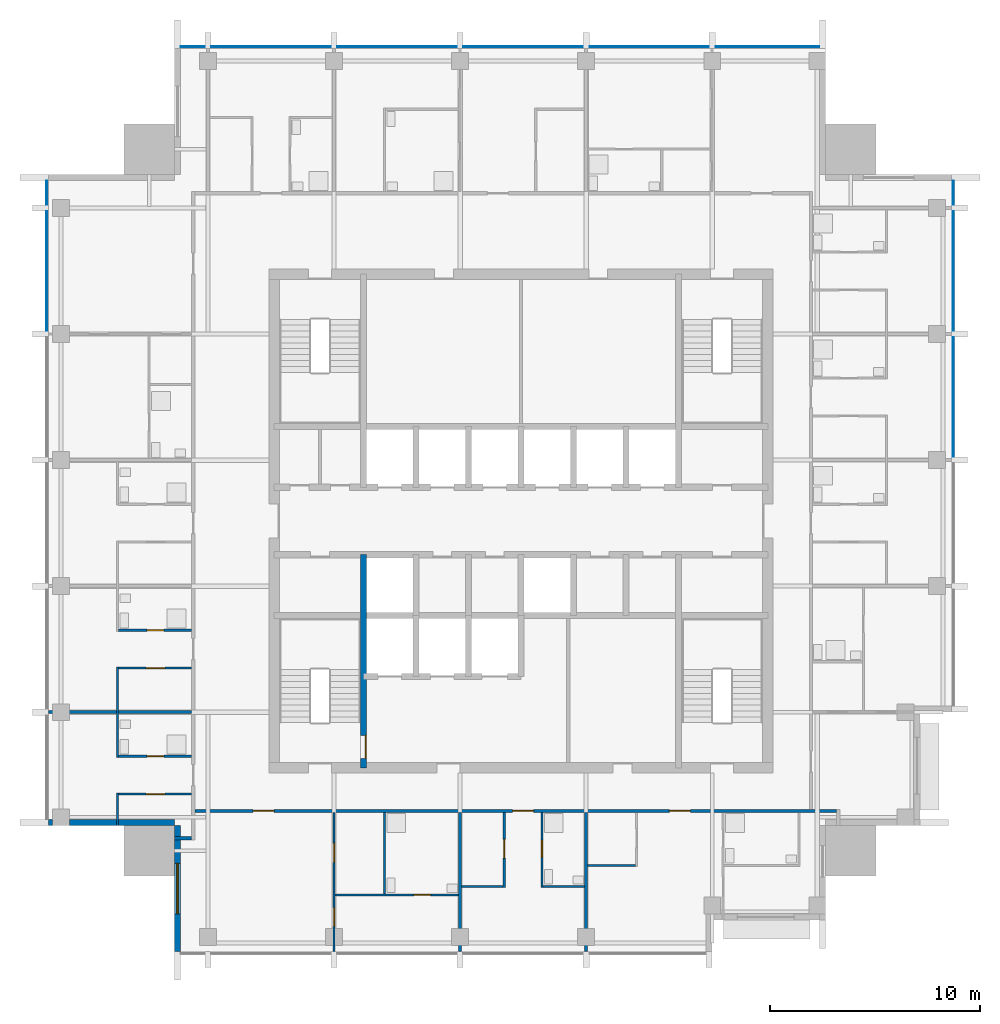
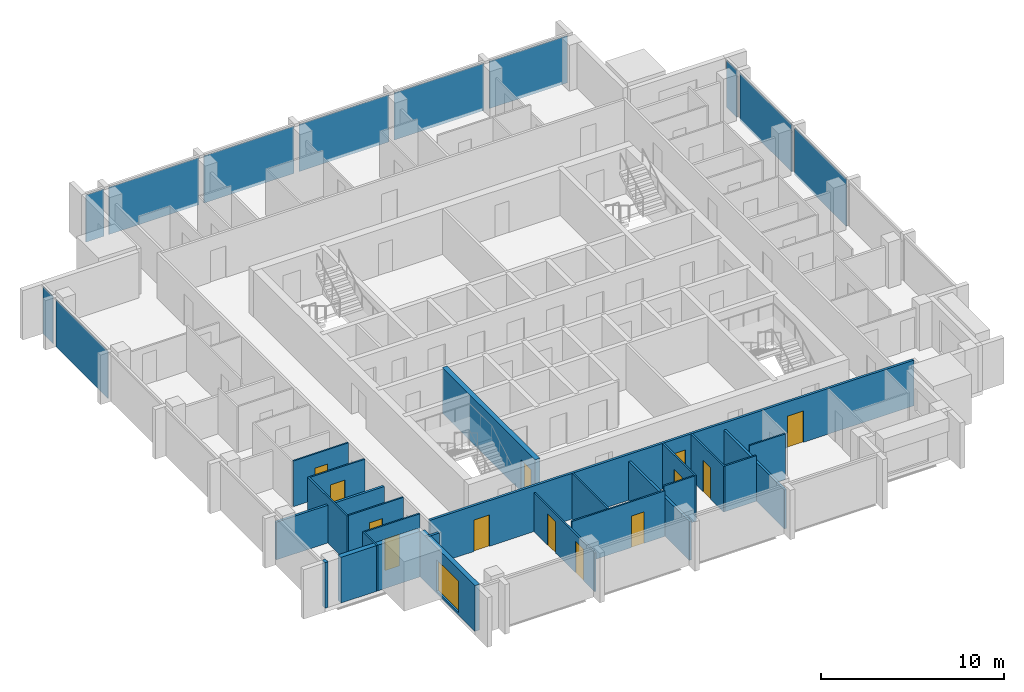
# One storey, part 3 of 9: 23 walls, 13 doors, 11 plates, 1 window, 14 openings, 3 elements without a shape of their own.
"""IFC4 building model written with IfcOpenShell, lengths in metres."""

from ifc_helpers import new_model, si_unit, direction, frame, frame_2d, origin, origin_2d, place, context, subcontext, project, spatial, rectangle, extrude, material, layer, layer_set, type_object, element, fill, aggregate, save


model = new_model("IFC4")

# Units and contexts
model_context = context("Model", 3, precision=1e-05, world=origin(), true_north=direction((0.0, 1.0)))
body_context = subcontext(model_context, "Body", "Model", "MODEL_VIEW")
ifc_project = project(units=[si_unit("LENGTHUNIT", "METRE"), si_unit("AREAUNIT", "SQUARE_METRE"), si_unit("VOLUMEUNIT", "CUBIC_METRE"), si_unit("PLANEANGLEUNIT", "RADIAN"), si_unit("MASSUNIT", "GRAM", prefix="KILO")], contexts=[model_context])

# Site, building, storey
site_placement = place(None, origin())
site = spatial("IfcSite", under=ifc_project, at=site_placement, CompositionType="ELEMENT")
building_placement = place(site_placement, origin())
building = spatial("IfcBuilding", under=site, at=building_placement, Name="Amberfall Residences", CompositionType="ELEMENT")
storey_placement = place(building_placement, frame((0.0, 0.0, 245.5)))
storey = spatial("IfcBuildingStorey", under=building, at=storey_placement, Name="L65", CompositionType="ELEMENT", Elevation=245.5)

# Curtain wall, plates
ifc_material_1 = material(Name="Bronze anodised aluminium and glass", Category="aluminium")
curtain_wall_type = type_object("IfcCurtainWallType", Name="Curtain wall CW1 tower unit", PredefinedType="USERDEFINED", material=ifc_material_1)
curtain_wall_1_placement = place(storey_placement, origin())
curtain_wall_1 = element("IfcCurtainWall", 1, at=curtain_wall_1_placement, inside=storey, type_object=curtain_wall_type, Name="Curtain wall L65 E E3", ObjectType="UNITISED CURTAIN WALL", PredefinedType="USERDEFINED")
ifc_material_2 = material(Name="Tinted double glazed unit", Category="glass")
ifc_layer_1 = layer(ifc_material_2, 0.035888671875)
ifc_layer_set_1 = layer_set([ifc_layer_1], Name="CW1 panel 36 glazing")
plate_type = type_object("IfcPlateType", Name="CW1 panel 36 glazing", PredefinedType="CURTAIN_PANEL", material=ifc_layer_set_1)
plate_1_placement = place(storey_placement, frame((95.074951171875, 51.39990234375, -0.25), z_axis=(0.0, 0.0, 1.0), x_axis=(0.0, 1.0, 0.0)))
plate_1 = element("IfcPlate", 2, at=plate_1_placement, type_object=plate_type, Name="CW1 panel 3.1", PredefinedType="CURTAIN_PANEL", context=body_context, shape_type="SweptSolid", body=[
    extrude(rectangle(XDim=5.676025390625, YDim=0.035888671875, at=origin_2d()), origin(), (0.0, 0.0, 1.0), 3.14990234375),
])
plate_2_placement = place(storey_placement, frame((95.074951171875, 57.39990234375, -0.25), z_axis=(0.0, 0.0, 1.0), x_axis=(0.0, 1.0, 0.0)))
plate_2 = element("IfcPlate", 3, at=plate_2_placement, type_object=plate_type, Name="CW1 panel 4.1", PredefinedType="CURTAIN_PANEL", context=body_context, shape_type="SweptSolid", body=[
    extrude(rectangle(XDim=5.676025390625, YDim=0.035888671875, at=origin_2d()), origin(), (0.0, 0.0, 1.0), 3.14990234375),
])
plate_3_placement = place(storey_placement, frame((95.074951171875, 61.125, -0.25), z_axis=(0.0, 0.0, 1.0), x_axis=(0.0, 1.0, 0.0)))
plate_3 = element("IfcPlate", 4, at=plate_3_placement, type_object=plate_type, Name="CW1 panel 5.1", PredefinedType="CURTAIN_PANEL", context=body_context, shape_type="SweptSolid", body=[
    extrude(rectangle(XDim=1.1259765625, YDim=0.035888671875, at=origin_2d()), origin(), (0.0, 0.0, 1.0), 3.14990234375),
])
aggregate(curtain_wall_1, [plate_1, plate_2, plate_3])

curtain_wall_2_placement = place(storey_placement, origin())
curtain_wall_2 = element("IfcCurtainWall", 5, at=curtain_wall_2_placement, inside=storey, type_object=curtain_wall_type, Name="Curtain wall L65 N N1", ObjectType="UNITISED CURTAIN WALL", PredefinedType="USERDEFINED")
plate_4_placement = place(storey_placement, frame((86.22509765625, 68.074951171875, -0.25), z_axis=(0.0, 0.0, 1.0), x_axis=(-1.0, 0.0, 0.0)))
plate_4 = element("IfcPlate", 6, at=plate_4_placement, type_object=plate_type, Name="CW1 panel 1.1", PredefinedType="CURTAIN_PANEL", context=body_context, shape_type="SweptSolid", body=[
    extrude(rectangle(XDim=4.926025390625, YDim=0.035888671875, at=origin_2d()), origin(), (0.0, 0.0, 1.0), 3.14990234375),
])
plate_5_placement = place(storey_placement, frame((80.60009765625, 68.074951171875, -0.25), z_axis=(0.0, 0.0, 1.0), x_axis=(-1.0, 0.0, 0.0)))
plate_5 = element("IfcPlate", 7, at=plate_5_placement, type_object=plate_type, Name="CW1 panel 2.1", PredefinedType="CURTAIN_PANEL", context=body_context, shape_type="SweptSolid", body=[
    extrude(rectangle(XDim=5.676025390625, YDim=0.035888671875, at=origin_2d()), origin(), (0.0, 0.0, 1.0), 3.14990234375),
])
plate_6_placement = place(storey_placement, frame((74.60009765625, 68.074951171875, -0.25), z_axis=(0.0, 0.0, 1.0), x_axis=(-1.0, 0.0, 0.0)))
plate_6 = element("IfcPlate", 8, at=plate_6_placement, type_object=plate_type, Name="CW1 panel 3.1", PredefinedType="CURTAIN_PANEL", context=body_context, shape_type="SweptSolid", body=[
    extrude(rectangle(XDim=5.676025390625, YDim=0.035888671875, at=origin_2d()), origin(), (0.0, 0.0, 1.0), 3.14990234375),
])
plate_7_placement = place(storey_placement, frame((68.60009765625, 68.074951171875, -0.25), z_axis=(0.0, 0.0, 1.0), x_axis=(-1.0, 0.0, 0.0)))
plate_7 = element("IfcPlate", 9, at=plate_7_placement, type_object=plate_type, Name="CW1 panel 4.1", PredefinedType="CURTAIN_PANEL", context=body_context, shape_type="SweptSolid", body=[
    extrude(rectangle(XDim=5.676025390625, YDim=0.035888671875, at=origin_2d()), origin(), (0.0, 0.0, 1.0), 3.14990234375),
])
plate_8_placement = place(storey_placement, frame((62.60009765625, 68.074951171875, -0.25), z_axis=(0.0, 0.0, 1.0), x_axis=(-1.0, 0.0, 0.0)))
plate_8 = element("IfcPlate", 10, at=plate_8_placement, type_object=plate_type, Name="CW1 panel 5.1", PredefinedType="CURTAIN_PANEL", context=body_context, shape_type="SweptSolid", body=[
    extrude(rectangle(XDim=5.676025390625, YDim=0.035888671875, at=origin_2d()), origin(), (0.0, 0.0, 1.0), 3.14990234375),
])
plate_9_placement = place(storey_placement, frame((58.875, 68.074951171875, -0.25), z_axis=(0.0, 0.0, 1.0), x_axis=(-1.0, 0.0, 0.0)))
plate_9 = element("IfcPlate", 11, at=plate_9_placement, type_object=plate_type, Name="CW1 panel 6.1", PredefinedType="CURTAIN_PANEL", context=body_context, shape_type="SweptSolid", body=[
    extrude(rectangle(XDim=1.1259765625, YDim=0.035888671875, at=origin_2d()), origin(), (0.0, 0.0, 1.0), 3.14990234375),
])
aggregate(curtain_wall_2, [plate_4, plate_5, plate_6, plate_7, plate_8, plate_9])

curtain_wall_3_placement = place(storey_placement, origin())
curtain_wall_3 = element("IfcCurtainWall", 12, at=curtain_wall_3_placement, inside=storey, type_object=curtain_wall_type, Name="Curtain wall L65 W W1", ObjectType="UNITISED CURTAIN WALL", PredefinedType="USERDEFINED")
plate_10_placement = place(storey_placement, frame((51.925048828125, 61.125, -0.25), z_axis=(0.0, 0.0, 1.0), x_axis=(0.0, -1.0, 0.0)))
plate_10 = element("IfcPlate", 13, at=plate_10_placement, type_object=plate_type, Name="CW1 panel 1.1", PredefinedType="CURTAIN_PANEL", context=body_context, shape_type="SweptSolid", body=[
    extrude(rectangle(XDim=1.1259765625, YDim=0.035888671875, at=origin_2d()), origin(), (0.0, 0.0, 1.0), 3.14990234375),
])
plate_11_placement = place(storey_placement, frame((51.925048828125, 57.39990234375, -0.25), z_axis=(0.0, 0.0, 1.0), x_axis=(0.0, -1.0, 0.0)))
plate_11 = element("IfcPlate", 14, at=plate_11_placement, type_object=plate_type, Name="CW1 panel 2.1", PredefinedType="CURTAIN_PANEL", context=body_context, shape_type="SweptSolid", body=[
    extrude(rectangle(XDim=5.676025390625, YDim=0.035888671875, at=origin_2d()), origin(), (0.0, 0.0, 1.0), 3.14990234375),
])
aggregate(curtain_wall_3, [plate_10, plate_11])

# Walls
ifc_material_3 = material(Name="Pale stone cladding on insulated backing", Category="masonry")
ifc_layer_2 = layer(ifc_material_3, 0.300048828125)
ifc_layer_set_2 = layer_set([ifc_layer_2], Name="Bronze clad wall 300")
wall_type_1 = type_object("IfcWallType", Name="Bronze clad wall 300", PredefinedType="SOLIDWALL", material=ifc_layer_set_2)
wall_1_placement = place(storey_placement, frame((52.0, 31.14990234375, 0.0), z_axis=(0.0, 0.0, 1.0), x_axis=(1.0, 0.0, 0.0)))
element("IfcWall", 15, at=wall_1_placement, inside=storey, type_object=wall_type_1, Name="External wall L65 SW", PredefinedType="SOLIDWALL", context=body_context, shape_type="SweptSolid", body=[
    extrude(rectangle(XDim=0.199951171875, YDim=0.300048828125, at=frame_2d((0.10009765625, 0.0))), origin(), (0.0, 0.0, 1.0), 3.050048828125),
])
wall_2_placement = place(storey_placement, frame((53.0, 31.14990234375, 0.0), z_axis=(0.0, 0.0, 1.0), x_axis=(1.0, 0.0, 0.0)))
element("IfcWall", 16, at=wall_2_placement, inside=storey, type_object=wall_type_1, Name="External wall L65 SW", PredefinedType="SOLIDWALL", context=body_context, shape_type="SweptSolid", body=[
    extrude(rectangle(XDim=5.0, YDim=0.300048828125, at=frame_2d((2.5, 0.0))), origin(), (0.0, 0.0, 1.0), 3.050048828125),
])

# Wall, opening, window
wall_3_placement = place(storey_placement, frame((58.14990234375, 31.0, 0.0), z_axis=(0.0, 0.0, 1.0), x_axis=(0.0, -1.0, 0.0)))
wall_3 = element("IfcWall", 17, at=wall_3_placement, inside=storey, type_object=wall_type_1, Name="External wall L65 SW", PredefinedType="SOLIDWALL", context=body_context, shape_type="SweptSolid", body=[
    extrude(rectangle(XDim=6.0, YDim=0.300048828125, at=frame_2d((3.0, 0.0))), origin(), (0.0, 0.0, 1.0), 3.050048828125),
])
opening_1_placement = place(wall_3_placement, frame((1.800048828125, 0.0, 0.14990234375)))
opening_1 = element("IfcOpeningElement", 18, at=opening_1_placement, cuts=wall_3, Name="Opening WN5", PredefinedType="OPENING", context=body_context, shape_type="SweptSolid", body=[
    extrude(rectangle(XDim=2.39990234375, YDim=2.10009765625, at=frame_2d((1.199951171875, 1.050048828125))), frame((0.0, 0.159912109375, 0.0), z_axis=(0.0, -1.0, 0.0), x_axis=(1.0, 0.0, 0.0)), (0.0, 0.0, 1.0), 0.320068359375),
])
ifc_material_4 = material(Name="Bronze aluminium framed glazing", Category="aluminium")
window_type = type_object("IfcWindowType", Name="Glazed opening 2400 x 2100 bronze", PartitioningType="DOUBLE_PANEL_VERTICAL", PredefinedType="WINDOW", material=ifc_material_4)
window_placement = place(opening_1_placement, origin())
window = element("IfcWindow", 19, at=window_placement, inside=storey, type_object=window_type, Name="Window L65 SW", OverallHeight=2.10009765625, OverallWidth=2.39990234375, PartitioningType="DOUBLE_PANEL_VERTICAL", PredefinedType="WINDOW", context=body_context, shape_type="SweptSolid", body=[
    extrude(rectangle(XDim=2.39990234375, YDim=2.10009765625, at=frame_2d((1.199951171875, 1.050048828125))), frame((0.0, 0.030029296875, 0.0), z_axis=(0.0, -1.0, 0.0), x_axis=(1.0, 0.0, 0.0)), (0.0, 0.0, 1.0), 0.06005859375),
])
fill(opening_1, window)

# Wall, opening, door
ifc_material_5 = material(Name="Concrete C50", Category="concrete")
ifc_layer_3 = layer(ifc_material_5, 0.300048828125)
ifc_layer_set_3 = layer_set([ifc_layer_3], Name="Core wall 300 C50")
wall_type_2 = type_object("IfcWallType", Name="Core wall 300 C50", PredefinedType="SHEAR", material=ifc_layer_set_3)
wall_4_placement = place(storey_placement, frame((67.0, 33.75, 0.0), z_axis=(0.0, 0.0, 1.0), x_axis=(0.0, 1.0, 0.0)))
wall_4 = element("IfcWall", 20, at=wall_4_placement, inside=storey, type_object=wall_type_2, Name="Core wall RW10 L65 V45S", PredefinedType="SHEAR", context=body_context, shape_type="SweptSolid", body=[
    extrude(rectangle(XDim=10.14990234375, YDim=0.300048828125, at=frame_2d((5.074951171875, 0.0))), origin(), (0.0, 0.0, 1.0), 3.050048828125),
])
opening_2_placement = place(wall_4_placement, frame((0.449951171875, 0.0, 0.0)))
opening_2 = element("IfcOpeningElement", 21, at=opening_2_placement, cuts=wall_4, Name="Opening FL1", PredefinedType="OPENING", context=body_context, shape_type="SweptSolid", body=[
    extrude(rectangle(XDim=1.10009765625, YDim=2.10009765625, at=frame_2d((0.550048828125, 1.050048828125))), frame((0.0, 0.159912109375, 0.0), z_axis=(0.0, -1.0, 0.0), x_axis=(1.0, 0.0, 0.0)), (0.0, 0.0, 1.0), 0.320068359375),
])
ifc_material_6 = material(Name="Steel fire door set", Category="steel")
door_type_1 = type_object("IfcDoorType", Name="Firefighting lobby door 1100 x 2100", OperationType="SINGLE_SWING_LEFT", PredefinedType="DOOR", material=ifc_material_6)
door_1_placement = place(opening_2_placement, origin())
door_1 = element("IfcDoor", 22, at=door_1_placement, inside=storey, type_object=door_type_1, Name="FL1 L65", OperationType="SINGLE_SWING_RIGHT", OverallHeight=2.10009765625, OverallWidth=1.10009765625, PredefinedType="DOOR", context=body_context, shape_type="SweptSolid", body=[
    extrude(rectangle(XDim=1.10009765625, YDim=2.10009765625, at=frame_2d((0.550048828125, 1.050048828125))), frame((0.0, -0.08740234375, 0.0), z_axis=(0.0, -1.0, 0.0), x_axis=(1.0, 0.0, 0.0)), (0.0, 0.0, 1.0), 0.050048828125),
])
fill(opening_2, door_1)

# Walls
ifc_material_7 = material(Name="Gypsum board on metal stud")
ifc_layer_4 = layer(ifc_material_7, 0.10009765625)
ifc_layer_set_4 = layer_set([ifc_layer_4], Name="Flat partition 100")
wall_type_3 = type_object("IfcWallType", Name="Flat partition 100", PredefinedType="PARTITIONING", material=ifc_layer_set_4)
wall_5_placement = place(storey_placement, frame((55.300048828125, 31.0, 0.0), z_axis=(0.0, 0.0, 1.0), x_axis=(0.0, 1.0, 0.0)))
element("IfcWall", 23, at=wall_5_placement, inside=storey, type_object=wall_type_3, Name="Partition 001", PredefinedType="PARTITIONING", context=body_context, shape_type="SweptSolid", body=[
    extrude(rectangle(XDim=1.550048828125, YDim=0.10009765625, at=frame_2d((0.77490234375, 0.0))), origin(), (0.0, 0.0, 1.0), 3.050048828125),
])
wall_6_placement = place(storey_placement, frame((55.300048828125, 34.25, 0.0), z_axis=(0.0, 0.0, 1.0), x_axis=(0.0, 1.0, 0.0)))
element("IfcWall", 24, at=wall_6_placement, inside=storey, type_object=wall_type_3, Name="Partition 002", PredefinedType="PARTITIONING", context=body_context, shape_type="SweptSolid", body=[
    extrude(rectangle(XDim=4.300048828125, YDim=0.10009765625, at=frame_2d((2.14990234375, 0.0))), origin(), (0.0, 0.0, 1.0), 3.050048828125),
])

# Wall, openings, doors
wall_7_placement = place(storey_placement, frame((65.60009765625, 31.625, 0.0), z_axis=(0.0, 0.0, 1.0), x_axis=(0.0, -1.0, 0.0)))
wall_7 = element("IfcWall", 25, at=wall_7_placement, inside=storey, type_object=wall_type_3, Name="Partition 008", PredefinedType="PARTITIONING", context=body_context, shape_type="SweptSolid", body=[
    extrude(rectangle(XDim=6.625, YDim=0.10009765625, at=frame_2d((3.3125, 0.0))), origin(), (0.0, 0.0, 1.0), 2.590087890625),
])
opening_3_placement = place(wall_7_placement, frame((1.47509765625, 0.0, 0.0)))
opening_3 = element("IfcOpeningElement", 26, at=opening_3_placement, cuts=wall_7, Name="Opening D41", PredefinedType="OPENING", context=body_context, shape_type="SweptSolid", body=[
    extrude(rectangle(XDim=0.89990234375, YDim=2.10009765625, at=frame_2d((0.449951171875, 1.050048828125))), frame((0.0, 0.06005859375, 0.0), z_axis=(0.0, -1.0, 0.0), x_axis=(1.0, 0.0, 0.0)), (0.0, 0.0, 1.0), 0.1201171875),
])
opening_4_placement = place(wall_7_placement, frame((4.52490234375, 0.0, 0.0)))
opening_4 = element("IfcOpeningElement", 27, at=opening_4_placement, cuts=wall_7, Name="Opening D41", PredefinedType="OPENING", context=body_context, shape_type="SweptSolid", body=[
    extrude(rectangle(XDim=0.89990234375, YDim=2.10009765625, at=frame_2d((0.449951171875, 1.050048828125))), frame((0.0, 0.06005859375, 0.0), z_axis=(0.0, -1.0, 0.0), x_axis=(1.0, 0.0, 0.0)), (0.0, 0.0, 1.0), 0.1201171875),
])
ifc_material_8 = material(Name="Timber", Category="wood")
door_type_2 = type_object("IfcDoorType", Name="Internal door 900 x 2100", OperationType="SINGLE_SWING_LEFT", PredefinedType="DOOR", material=ifc_material_8)
door_2_placement = place(opening_3_placement, origin())
door_2 = element("IfcDoor", 28, at=door_2_placement, inside=storey, type_object=door_type_2, Name="Door 6501 kitchen", OperationType="SINGLE_SWING_LEFT", OverallHeight=2.10009765625, OverallWidth=0.89990234375, PredefinedType="DOOR", context=body_context, shape_type="SweptSolid", body=[
    extrude(rectangle(XDim=0.89990234375, YDim=2.10009765625, at=frame_2d((0.449951171875, 1.050048828125))), frame((0.0, 0.02490234375, 0.0), z_axis=(0.0, -1.0, 0.0), x_axis=(1.0, 0.0, 0.0)), (0.0, 0.0, 1.0), 0.050048828125),
])
fill(opening_3, door_2)
door_3_placement = place(opening_4_placement, origin())
door_3 = element("IfcDoor", 29, at=door_3_placement, inside=storey, type_object=door_type_2, Name="Door 6501 bedroom1", OperationType="SINGLE_SWING_LEFT", OverallHeight=2.10009765625, OverallWidth=0.89990234375, PredefinedType="DOOR", context=body_context, shape_type="SweptSolid", body=[
    extrude(rectangle(XDim=0.89990234375, YDim=2.10009765625, at=frame_2d((0.449951171875, 1.050048828125))), frame((0.0, 0.02490234375, 0.0), z_axis=(0.0, -1.0, 0.0), x_axis=(1.0, 0.0, 0.0)), (0.0, 0.0, 1.0), 0.050048828125),
])
fill(opening_4, door_3)

# Wall
wall_8_placement = place(storey_placement, frame((68.0, 27.75, 0.0), z_axis=(0.0, 0.0, 1.0), x_axis=(0.0, 1.0, 0.0)))
element("IfcWall", 30, at=wall_8_placement, inside=storey, type_object=wall_type_3, Name="Partition 009", PredefinedType="PARTITIONING", context=body_context, shape_type="SweptSolid", body=[
    extrude(rectangle(XDim=3.875, YDim=0.10009765625, at=frame_2d((1.9375, 0.0))), origin(), (0.0, 0.0, 1.0), 3.050048828125),
])

# Wall, opening, door
wall_9_placement = place(storey_placement, frame((73.699951171875, 28.050048828125, 0.0), z_axis=(0.0, 0.0, 1.0), x_axis=(0.0, 1.0, 0.0)))
wall_9 = element("IfcWall", 31, at=wall_9_placement, inside=storey, type_object=wall_type_3, Name="Partition 012", PredefinedType="PARTITIONING", context=body_context, shape_type="SweptSolid", body=[
    extrude(rectangle(XDim=3.574951171875, YDim=0.10009765625, at=frame_2d((1.78759765625, 0.0))), origin(), (0.0, 0.0, 1.0), 3.050048828125),
])
opening_5_placement = place(wall_9_placement, frame((1.39990234375, 0.0, 0.0)))
opening_5 = element("IfcOpeningElement", 32, at=opening_5_placement, cuts=wall_9, Name="Opening D41", PredefinedType="OPENING", context=body_context, shape_type="SweptSolid", body=[
    extrude(rectangle(XDim=0.89990234375, YDim=2.10009765625, at=frame_2d((0.449951171875, 1.050048828125))), frame((0.0, 0.06005859375, 0.0), z_axis=(0.0, -1.0, 0.0), x_axis=(1.0, 0.0, 0.0)), (0.0, 0.0, 1.0), 0.1201171875),
])
door_4_placement = place(opening_5_placement, origin())
door_4 = element("IfcDoor", 33, at=door_4_placement, inside=storey, type_object=door_type_2, Name="Door 6502 kitchen", OperationType="SINGLE_SWING_LEFT", OverallHeight=2.10009765625, OverallWidth=0.89990234375, PredefinedType="DOOR", context=body_context, shape_type="SweptSolid", body=[
    extrude(rectangle(XDim=0.89990234375, YDim=2.10009765625, at=frame_2d((0.449951171875, 1.050048828125))), frame((0.0, 0.02490234375, 0.0), z_axis=(0.0, -1.0, 0.0), x_axis=(1.0, 0.0, 0.0)), (0.0, 0.0, 1.0), 0.050048828125),
])
fill(opening_5, door_4)

wall_10_placement = place(storey_placement, frame((75.5, 31.625, 0.0), z_axis=(0.0, 0.0, 1.0), x_axis=(0.0, -1.0, 0.0)))
wall_10 = element("IfcWall", 34, at=wall_10_placement, inside=storey, type_object=wall_type_3, Name="Partition 014", PredefinedType="PARTITIONING", context=body_context, shape_type="SweptSolid", body=[
    extrude(rectangle(XDim=3.574951171875, YDim=0.10009765625, at=frame_2d((1.78759765625, 0.0))), origin(), (0.0, 0.0, 1.0), 3.050048828125),
])
opening_6_placement = place(wall_10_placement, frame((1.324951171875, 0.0, 0.0)))
opening_6 = element("IfcOpeningElement", 35, at=opening_6_placement, cuts=wall_10, Name="Opening D42", PredefinedType="OPENING", context=body_context, shape_type="SweptSolid", body=[
    extrude(rectangle(XDim=0.800048828125, YDim=2.10009765625, at=frame_2d((0.39990234375, 1.050048828125))), frame((0.0, 0.06005859375, 0.0), z_axis=(0.0, -1.0, 0.0), x_axis=(1.0, 0.0, 0.0)), (0.0, 0.0, 1.0), 0.1201171875),
])
door_type_3 = type_object("IfcDoorType", Name="Bathroom door 800 x 2100", OperationType="SINGLE_SWING_LEFT", PredefinedType="DOOR", material=ifc_material_8)
door_5_placement = place(opening_6_placement, origin())
door_5 = element("IfcDoor", 36, at=door_5_placement, inside=storey, type_object=door_type_3, Name="Door 6502 bath1", OperationType="SINGLE_SWING_LEFT", OverallHeight=2.10009765625, OverallWidth=0.800048828125, PredefinedType="DOOR", context=body_context, shape_type="SweptSolid", body=[
    extrude(rectangle(XDim=0.800048828125, YDim=2.10009765625, at=frame_2d((0.39990234375, 1.050048828125))), frame((0.0, 0.02490234375, 0.0), z_axis=(0.0, -1.0, 0.0), x_axis=(1.0, 0.0, 0.0)), (0.0, 0.0, 1.0), 0.050048828125),
])
fill(opening_6, door_5)

wall_11_placement = place(storey_placement, frame((55.35009765625, 40.300048828125, 0.0), z_axis=(0.0, 0.0, 1.0), x_axis=(1.0, 0.0, 0.0)))
wall_11 = element("IfcWall", 37, at=wall_11_placement, inside=storey, type_object=wall_type_3, Name="Partition 040", PredefinedType="PARTITIONING", context=body_context, shape_type="SweptSolid", body=[
    extrude(rectangle(XDim=3.474853515625, YDim=0.10009765625, at=frame_2d((1.7373046875, 0.0))), origin(), (0.0, 0.0, 1.0), 3.050048828125),
])
opening_7_placement = place(wall_11_placement, frame((1.35009765625, 0.0, 0.0)))
opening_7 = element("IfcOpeningElement", 38, at=opening_7_placement, cuts=wall_11, Name="Opening D42", PredefinedType="OPENING", context=body_context, shape_type="SweptSolid", body=[
    extrude(rectangle(XDim=0.800048828125, YDim=2.10009765625, at=frame_2d((0.39990234375, 1.050048828125))), frame((0.0, 0.06005859375, 0.0), z_axis=(0.0, -1.0, 0.0), x_axis=(1.0, 0.0, 0.0)), (0.0, 0.0, 1.0), 0.1201171875),
])
door_6_placement = place(opening_7_placement, origin())
door_6 = element("IfcDoor", 39, at=door_6_placement, inside=storey, type_object=door_type_3, Name="Door 6512 bath1", OperationType="SINGLE_SWING_LEFT", OverallHeight=2.10009765625, OverallWidth=0.800048828125, PredefinedType="DOOR", context=body_context, shape_type="SweptSolid", body=[
    extrude(rectangle(XDim=0.800048828125, YDim=2.10009765625, at=frame_2d((0.39990234375, 1.050048828125))), frame((0.0, 0.02490234375, 0.0), z_axis=(0.0, -1.0, 0.0), x_axis=(1.0, 0.0, 0.0)), (0.0, 0.0, 1.0), 0.050048828125),
])
fill(opening_7, door_6)

wall_12_placement = place(storey_placement, frame((58.824951171875, 38.5, 0.0), z_axis=(0.0, 0.0, 1.0), x_axis=(-1.0, 0.0, 0.0)))
wall_12 = element("IfcWall", 40, at=wall_12_placement, inside=storey, type_object=wall_type_3, Name="Partition 042", PredefinedType="PARTITIONING", context=body_context, shape_type="SweptSolid", body=[
    extrude(rectangle(XDim=3.474853515625, YDim=0.10009765625, at=frame_2d((1.7373046875, 0.0))), origin(), (0.0, 0.0, 1.0), 3.050048828125),
])
opening_8_placement = place(wall_12_placement, frame((1.27490234375, 0.0, 0.0)))
opening_8 = element("IfcOpeningElement", 41, at=opening_8_placement, cuts=wall_12, Name="Opening D41", PredefinedType="OPENING", context=body_context, shape_type="SweptSolid", body=[
    extrude(rectangle(XDim=0.89990234375, YDim=2.10009765625, at=frame_2d((0.449951171875, 1.050048828125))), frame((0.0, 0.06005859375, 0.0), z_axis=(0.0, -1.0, 0.0), x_axis=(1.0, 0.0, 0.0)), (0.0, 0.0, 1.0), 0.1201171875),
])
door_7_placement = place(opening_8_placement, origin())
door_7 = element("IfcDoor", 42, at=door_7_placement, inside=storey, type_object=door_type_2, Name="Door 6512 kitchen", OperationType="SINGLE_SWING_LEFT", OverallHeight=2.10009765625, OverallWidth=0.89990234375, PredefinedType="DOOR", context=body_context, shape_type="SweptSolid", body=[
    extrude(rectangle(XDim=0.89990234375, YDim=2.10009765625, at=frame_2d((0.449951171875, 1.050048828125))), frame((0.0, 0.02490234375, 0.0), z_axis=(0.0, -1.0, 0.0), x_axis=(1.0, 0.0, 0.0)), (0.0, 0.0, 1.0), 0.050048828125),
])
fill(opening_8, door_7)

wall_13_placement = place(storey_placement, frame((55.35009765625, 34.300048828125, 0.0), z_axis=(0.0, 0.0, 1.0), x_axis=(1.0, 0.0, 0.0)))
wall_13 = element("IfcWall", 43, at=wall_13_placement, inside=storey, type_object=wall_type_3, Name="Partition 044", PredefinedType="PARTITIONING", context=body_context, shape_type="SweptSolid", body=[
    extrude(rectangle(XDim=3.474853515625, YDim=0.10009765625, at=frame_2d((1.7373046875, 0.0))), origin(), (0.0, 0.0, 1.0), 3.050048828125),
])
opening_9_placement = place(wall_13_placement, frame((1.35009765625, 0.0, 0.0)))
opening_9 = element("IfcOpeningElement", 44, at=opening_9_placement, cuts=wall_13, Name="Opening D42", PredefinedType="OPENING", context=body_context, shape_type="SweptSolid", body=[
    extrude(rectangle(XDim=0.800048828125, YDim=2.10009765625, at=frame_2d((0.39990234375, 1.050048828125))), frame((0.0, 0.06005859375, 0.0), z_axis=(0.0, -1.0, 0.0), x_axis=(1.0, 0.0, 0.0)), (0.0, 0.0, 1.0), 0.1201171875),
])
door_8_placement = place(opening_9_placement, origin())
door_8 = element("IfcDoor", 45, at=door_8_placement, inside=storey, type_object=door_type_3, Name="Door 6511 bath1", OperationType="SINGLE_SWING_LEFT", OverallHeight=2.10009765625, OverallWidth=0.800048828125, PredefinedType="DOOR", context=body_context, shape_type="SweptSolid", body=[
    extrude(rectangle(XDim=0.800048828125, YDim=2.10009765625, at=frame_2d((0.39990234375, 1.050048828125))), frame((0.0, 0.02490234375, 0.0), z_axis=(0.0, -1.0, 0.0), x_axis=(1.0, 0.0, 0.0)), (0.0, 0.0, 1.0), 0.050048828125),
])
fill(opening_9, door_8)

wall_14_placement = place(storey_placement, frame((58.824951171875, 32.5, 0.0), z_axis=(0.0, 0.0, 1.0), x_axis=(-1.0, 0.0, 0.0)))
wall_14 = element("IfcWall", 46, at=wall_14_placement, inside=storey, type_object=wall_type_3, Name="Partition 045", PredefinedType="PARTITIONING", context=body_context, shape_type="SweptSolid", body=[
    extrude(rectangle(XDim=3.474853515625, YDim=0.10009765625, at=frame_2d((1.7373046875, 0.0))), origin(), (0.0, 0.0, 1.0), 3.050048828125),
])
opening_10_placement = place(wall_14_placement, frame((1.27490234375, 0.0, 0.0)))
opening_10 = element("IfcOpeningElement", 47, at=opening_10_placement, cuts=wall_14, Name="Opening D41", PredefinedType="OPENING", context=body_context, shape_type="SweptSolid", body=[
    extrude(rectangle(XDim=0.89990234375, YDim=2.10009765625, at=frame_2d((0.449951171875, 1.050048828125))), frame((0.0, 0.06005859375, 0.0), z_axis=(0.0, -1.0, 0.0), x_axis=(1.0, 0.0, 0.0)), (0.0, 0.0, 1.0), 0.1201171875),
])
door_9_placement = place(opening_10_placement, origin())
door_9 = element("IfcDoor", 48, at=door_9_placement, inside=storey, type_object=door_type_2, Name="Door 6511 kitchen", OperationType="SINGLE_SWING_LEFT", OverallHeight=2.10009765625, OverallWidth=0.89990234375, PredefinedType="DOOR", context=body_context, shape_type="SweptSolid", body=[
    extrude(rectangle(XDim=0.89990234375, YDim=2.10009765625, at=frame_2d((0.449951171875, 1.050048828125))), frame((0.0, 0.02490234375, 0.0), z_axis=(0.0, -1.0, 0.0), x_axis=(1.0, 0.0, 0.0)), (0.0, 0.0, 1.0), 0.050048828125),
])
fill(opening_10, door_9)

# Walls
wall_15_placement = place(storey_placement, frame((77.675048828125, 29.10009765625, 0.0), z_axis=(0.0, 0.0, 1.0), x_axis=(1.0, 0.0, 0.0)))
element("IfcWall", 49, at=wall_15_placement, inside=storey, type_object=wall_type_3, Name="Partition 046", PredefinedType="PARTITIONING", context=body_context, shape_type="SweptSolid", body=[
    extrude(rectangle(XDim=2.27490234375, YDim=0.10009765625, at=frame_2d((1.137451171875, 0.0))), origin(), (0.0, 0.0, 1.0), 3.050048828125),
])
for number, where, z_axis, x_axis, name in (
    (50, (71.675048828125, 28.10009765625, 0.0), (0.0, 0.0, 1.0), (1.0, 0.0, 0.0), "Partition 048"),
    (51, (75.550048828125, 28.10009765625, 0.0), (0.0, 0.0, 1.0), (1.0, 0.0, 0.0), "Partition 049"),
):
    element("IfcWall", number, at=place(storey_placement, frame(where, z_axis=z_axis, x_axis=x_axis)), inside=storey, type_object=wall_type_3, Name=name, PredefinedType="PARTITIONING", context=body_context, shape_type="SweptSolid", body=[
        extrude(rectangle(XDim=1.974853515625, YDim=0.10009765625, at=frame_2d((0.9873046875, 0.0))), origin(), (0.0, 0.0, 1.0), 3.050048828125),
    ])

# Wall, opening, door
wall_16_placement = place(storey_placement, frame((65.64990234375, 27.699951171875, 0.0), z_axis=(0.0, 0.0, 1.0), x_axis=(1.0, 0.0, 0.0)))
wall_16 = element("IfcWall", 52, at=wall_16_placement, inside=storey, type_object=wall_type_3, Name="Partition 050", PredefinedType="PARTITIONING", context=body_context, shape_type="SweptSolid", body=[
    extrude(rectangle(XDim=5.875, YDim=0.10009765625, at=frame_2d((2.9375, 0.0))), origin(), (0.0, 0.0, 1.0), 3.050048828125),
])
opening_11_placement = place(wall_16_placement, frame((3.75, 0.0, 0.0)))
opening_11 = element("IfcOpeningElement", 53, at=opening_11_placement, cuts=wall_16, Name="Opening D42", PredefinedType="OPENING", context=body_context, shape_type="SweptSolid", body=[
    extrude(rectangle(XDim=0.800048828125, YDim=2.10009765625, at=frame_2d((0.39990234375, 1.050048828125))), frame((0.0, 0.06005859375, 0.0), z_axis=(0.0, -1.0, 0.0), x_axis=(1.0, 0.0, 0.0)), (0.0, 0.0, 1.0), 0.1201171875),
])
door_10_placement = place(opening_11_placement, origin())
door_10 = element("IfcDoor", 54, at=door_10_placement, inside=storey, type_object=door_type_3, Name="Door 6501 bath1", OperationType="SINGLE_SWING_LEFT", OverallHeight=2.10009765625, OverallWidth=0.800048828125, PredefinedType="DOOR", context=body_context, shape_type="SweptSolid", body=[
    extrude(rectangle(XDim=0.800048828125, YDim=2.10009765625, at=frame_2d((0.39990234375, 1.050048828125))), frame((0.0, 0.02490234375, 0.0), z_axis=(0.0, -1.0, 0.0), x_axis=(1.0, 0.0, 0.0)), (0.0, 0.0, 1.0), 0.050048828125),
])
fill(opening_11, door_10)

# Walls
ifc_material_9 = material(Name="Blockwork, plastered", Category="masonry")
ifc_layer_5 = layer(ifc_material_9, 0.14990234375)
ifc_layer_set_5 = layer_set([ifc_layer_5], Name="Flat separating wall 150")
wall_type_4 = type_object("IfcWallType", Name="Flat separating wall 150", PredefinedType="PARTITIONING", material=ifc_layer_set_5)
for number, where, z_axis, x_axis, name in (
    (55, (71.60009765625, 25.0, 0.0), (0.0, 0.0, 1.0), (0.0, 1.0, 0.0), "Separating wall 054"),
    (56, (77.60009765625, 25.0, 0.0), (0.0, 0.0, 1.0), (0.0, 1.0, 0.0), "Separating wall 055"),
):
    element("IfcWall", number, at=place(storey_placement, frame(where, z_axis=z_axis, x_axis=x_axis)), inside=storey, type_object=wall_type_4, Name=name, PredefinedType="PARTITIONING", context=body_context, shape_type="SweptSolid", body=[
        extrude(rectangle(XDim=6.625, YDim=0.14990234375, at=frame_2d((3.3125, 0.0))), origin(), (0.0, 0.0, 1.0), 2.590087890625),
    ])
wall_17_placement = place(storey_placement, frame((52.0, 36.39990234375, 0.0), z_axis=(0.0, 0.0, 1.0), x_axis=(1.0, 0.0, 0.0)))
element("IfcWall", 57, at=wall_17_placement, inside=storey, type_object=wall_type_4, Name="Separating wall 066", PredefinedType="PARTITIONING", context=body_context, shape_type="SweptSolid", body=[
    extrude(rectangle(XDim=6.824951171875, YDim=0.14990234375, at=frame_2d((3.41259765625, 0.0))), origin(), (0.0, 0.0, 1.0), 2.51611328125),
])

# Wall, openings, doors
wall_18_placement = place(storey_placement, frame((89.52490234375, 31.699951171875, 0.0), z_axis=(0.0, 0.0, 1.0), x_axis=(-1.0, 0.0, 0.0)))
wall_18 = element("IfcWall", 58, at=wall_18_placement, inside=storey, type_object=wall_type_4, Name="Separating wall 067", PredefinedType="PARTITIONING", context=body_context, shape_type="SweptSolid", body=[
    extrude(rectangle(XDim=30.5498046875, YDim=0.14990234375, at=frame_2d((15.27490234375, 0.0))), origin(), (0.0, 0.0, 1.0), 3.050048828125),
])
opening_12_placement = place(wall_18_placement, frame((26.77490234375, 0.0, 0.0)))
opening_12 = element("IfcOpeningElement", 59, at=opening_12_placement, cuts=wall_18, Name="Opening D40", PredefinedType="OPENING", context=body_context, shape_type="SweptSolid", body=[
    extrude(rectangle(XDim=1.0, YDim=2.10009765625, at=frame_2d((0.5, 1.050048828125))), frame((0.0, 0.0849609375, 0.0), z_axis=(0.0, -1.0, 0.0), x_axis=(1.0, 0.0, 0.0)), (0.0, 0.0, 1.0), 0.169921875),
])
opening_13_placement = place(wall_18_placement, frame((14.425048828125, 0.0, 0.0)))
opening_13 = element("IfcOpeningElement", 60, at=opening_13_placement, cuts=wall_18, Name="Opening D40", PredefinedType="OPENING", context=body_context, shape_type="SweptSolid", body=[
    extrude(rectangle(XDim=1.0, YDim=2.10009765625, at=frame_2d((0.5, 1.050048828125))), frame((0.0, 0.0849609375, 0.0), z_axis=(0.0, -1.0, 0.0), x_axis=(1.0, 0.0, 0.0)), (0.0, 0.0, 1.0), 0.169921875),
])
opening_14_placement = place(wall_18_placement, frame((6.96240234375, 0.0, 0.0)))
opening_14 = element("IfcOpeningElement", 61, at=opening_14_placement, cuts=wall_18, Name="Opening D40", PredefinedType="OPENING", context=body_context, shape_type="SweptSolid", body=[
    extrude(rectangle(XDim=1.0, YDim=2.10009765625, at=frame_2d((0.5, 1.050048828125))), frame((0.0, 0.0849609375, 0.0), z_axis=(0.0, -1.0, 0.0), x_axis=(1.0, 0.0, 0.0)), (0.0, 0.0, 1.0), 0.169921875),
])
ifc_material_10 = material(Name="Timber, fire-rated", Category="wood")
door_type_4 = type_object("IfcDoorType", Name="Flat entrance door FD60 1000 x 2100", OperationType="SINGLE_SWING_LEFT", PredefinedType="DOOR", material=ifc_material_10)
door_11_placement = place(opening_12_placement, origin())
door_11 = element("IfcDoor", 62, at=door_11_placement, inside=storey, type_object=door_type_4, Name="Door 6501 entrance", OperationType="SINGLE_SWING_LEFT", OverallHeight=2.10009765625, OverallWidth=1.0, PredefinedType="DOOR", context=body_context, shape_type="SweptSolid", body=[
    extrude(rectangle(XDim=1.0, YDim=2.10009765625, at=frame_2d((0.5, 1.050048828125))), frame((0.0, 0.02490234375, 0.0), z_axis=(0.0, -1.0, 0.0), x_axis=(1.0, 0.0, 0.0)), (0.0, 0.0, 1.0), 0.050048828125),
])
fill(opening_12, door_11)
door_12_placement = place(opening_13_placement, origin())
door_12 = element("IfcDoor", 63, at=door_12_placement, inside=storey, type_object=door_type_4, Name="Door 6502 entrance", OperationType="SINGLE_SWING_LEFT", OverallHeight=2.10009765625, OverallWidth=1.0, PredefinedType="DOOR", context=body_context, shape_type="SweptSolid", body=[
    extrude(rectangle(XDim=1.0, YDim=2.10009765625, at=frame_2d((0.5, 1.050048828125))), frame((0.0, 0.02490234375, 0.0), z_axis=(0.0, -1.0, 0.0), x_axis=(1.0, 0.0, 0.0)), (0.0, 0.0, 1.0), 0.050048828125),
])
fill(opening_13, door_12)
door_13_placement = place(opening_14_placement, origin())
door_13 = element("IfcDoor", 64, at=door_13_placement, inside=storey, type_object=door_type_4, Name="Door 6503 entrance", OperationType="SINGLE_SWING_LEFT", OverallHeight=2.10009765625, OverallWidth=1.0, PredefinedType="DOOR", context=body_context, shape_type="SweptSolid", body=[
    extrude(rectangle(XDim=1.0, YDim=2.10009765625, at=frame_2d((0.5, 1.050048828125))), frame((0.0, 0.02490234375, 0.0), z_axis=(0.0, -1.0, 0.0), x_axis=(1.0, 0.0, 0.0)), (0.0, 0.0, 1.0), 0.050048828125),
])
fill(opening_14, door_13)

# Wall
wall_19_placement = place(storey_placement, frame((58.0, 30.39990234375, 0.0), z_axis=(0.0, 0.0, 1.0), x_axis=(1.0, 0.0, 0.0)))
element("IfcWall", 65, at=wall_19_placement, inside=storey, type_object=wall_type_4, Name="Separating wall 068", PredefinedType="PARTITIONING", context=body_context, shape_type="SweptSolid", body=[
    extrude(rectangle(XDim=0.824951171875, YDim=0.14990234375, at=frame_2d((0.41259765625, 0.0))), origin(), (0.0, 0.0, 1.0), 3.050048828125),
])

save(model, "model.ifc")
